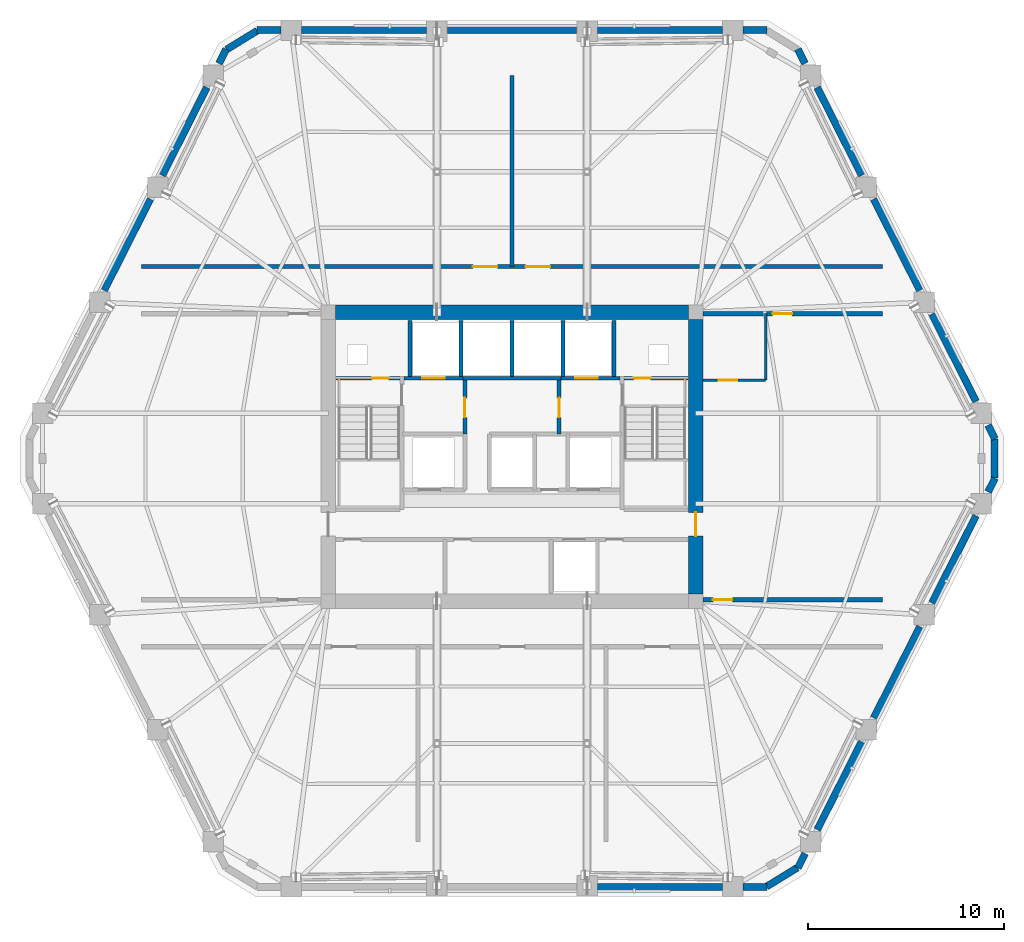
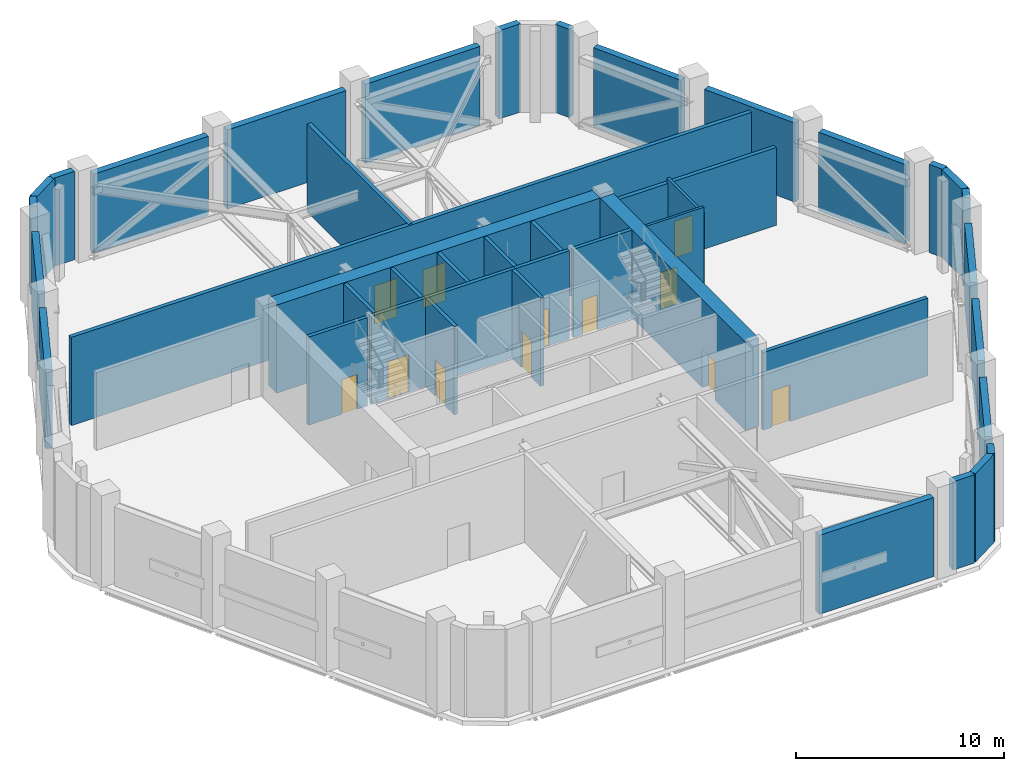
# One storey, part 11 of 15: 43 walls, 12 doors, 12 openings.
"""IFC4 building model written with IfcOpenShell, lengths in metres."""

from ifc_helpers import new_model, si_unit, direction, frame, frame_2d, origin, place, context, subcontext, project, spatial, rectangle, extrude, material, layer, layer_set, type_object, element, fill, save


model = new_model("IFC4")

# Units and contexts
model_context = context("Model", 3, precision=1e-05, world=origin(), true_north=direction((0.0, 1.0)))
body_context = subcontext(model_context, "Body", "Model", "MODEL_VIEW")
ifc_project = project(units=[si_unit("LENGTHUNIT", "METRE"), si_unit("AREAUNIT", "SQUARE_METRE"), si_unit("VOLUMEUNIT", "CUBIC_METRE"), si_unit("PLANEANGLEUNIT", "RADIAN"), si_unit("MASSUNIT", "GRAM", prefix="KILO")], contexts=[model_context])

# Site, building, storey
site_placement = place(None, origin())
site = spatial("IfcSite", under=ifc_project, at=site_placement, CompositionType="ELEMENT")
building_placement = place(site_placement, origin())
building = spatial("IfcBuilding", under=site, at=building_placement, Name="Cinnabar Lancet Tower", CompositionType="ELEMENT")
storey_placement = place(building_placement, frame((0.0, 0.0, 148.10009765625)))
storey = spatial("IfcBuildingStorey", under=building, at=storey_placement, Name="L39", CompositionType="ELEMENT", Elevation=148.10009765625)

# Wall, opening, door
ifc_material_1 = material(Name="Acoustic masonry plant room wall", Category="masonry")
ifc_layer_1 = layer(ifc_material_1, 0.219970703125)
ifc_layer_set_1 = layer_set([ifc_layer_1], Name="Acoustic masonry plant room wall")
wall_type_1 = type_object("IfcWallType", Name="ARC-WL-PLANT-220", PredefinedType="PARTITIONING", material=ifc_layer_set_1)
wall_1_placement = place(storey_placement, frame((42.14990234375, 18.60009765625, 0.0), z_axis=(0.0, 0.0, 1.0), x_axis=(1.0, 0.0, 0.0)))
wall_1 = element("IfcWall", 1, at=wall_1_placement, inside=storey, type_object=wall_type_1, Name="PW-L39-RFES", PredefinedType="PARTITIONING", context=body_context, shape_type="SweptSolid", body=[
    extrude(rectangle(XDim=9.1630859375, YDim=0.219970703125, at=frame_2d((4.58154296875, 0.0))), origin(), (0.0, 0.0, 1.0), 4.572021484375),
])
opening_1_placement = place(wall_1_placement, frame((0.5, 0.0, 0.0)))
opening_1 = element("IfcOpeningElement", 2, at=opening_1_placement, cuts=wall_1, Name="Opening FD-01", PredefinedType="OPENING", context=body_context, shape_type="SweptSolid", body=[
    extrude(rectangle(XDim=1.0, YDim=2.14990234375, at=frame_2d((0.5, 1.074951171875))), frame((0.0, 0.119873046875, 0.0), z_axis=(0.0, -1.0, 0.0), x_axis=(1.0, 0.0, 0.0)), (0.0, 0.0, 1.0), 0.239990234375),
])
ifc_material_2 = material(Name="Fire-rated timber-core lobby door", Category="wood")
door_type_1 = type_object("IfcDoorType", Name="ARC-DR-FFAL", OperationType="NOTDEFINED", PredefinedType="DOOR", material=ifc_material_2)
door_1_placement = place(opening_1_placement, origin())
door_1 = element("IfcDoor", 3, at=door_1_placement, inside=storey, type_object=door_type_1, Name="L39 Plant Corridor Fire Door RES", OperationType="SINGLE_SWING_LEFT", OverallHeight=2.14990234375, OverallWidth=1.0, PredefinedType="DOOR", context=body_context, shape_type="SweptSolid", body=[
    extrude(rectangle(XDim=1.0, YDim=2.14990234375, at=frame_2d((0.5, 1.074951171875))), frame((0.0, 0.02490234375, 0.0), z_axis=(0.0, -1.0, 0.0), x_axis=(1.0, 0.0, 0.0)), (0.0, 0.0, 1.0), 0.050048828125),
])
fill(opening_1, door_1)

wall_2_placement = place(storey_placement, frame((42.14990234375, 33.199951171875, 0.0), z_axis=(0.0, 0.0, 1.0), x_axis=(1.0, 0.0, 0.0)))
wall_2 = element("IfcWall", 4, at=wall_2_placement, inside=storey, type_object=wall_type_1, Name="PW-L39-RFEN", PredefinedType="PARTITIONING", context=body_context, shape_type="SweptSolid", body=[
    extrude(rectangle(XDim=9.1630859375, YDim=0.219970703125, at=frame_2d((4.58154296875, 0.0))), origin(), (0.0, 0.0, 1.0), 4.572021484375),
])
opening_2_placement = place(wall_2_placement, frame((3.550048828125, 0.0, 0.0)))
opening_2 = element("IfcOpeningElement", 5, at=opening_2_placement, cuts=wall_2, Name="Opening FD-01", PredefinedType="OPENING", context=body_context, shape_type="SweptSolid", body=[
    extrude(rectangle(XDim=1.0, YDim=2.14990234375, at=frame_2d((0.5, 1.074951171875))), frame((0.0, 0.119873046875, 0.0), z_axis=(0.0, -1.0, 0.0), x_axis=(1.0, 0.0, 0.0)), (0.0, 0.0, 1.0), 0.239990234375),
])
door_2_placement = place(opening_2_placement, origin())
door_2 = element("IfcDoor", 6, at=door_2_placement, inside=storey, type_object=door_type_1, Name="L39 Plant Corridor Fire Door REN", OperationType="SINGLE_SWING_LEFT", OverallHeight=2.14990234375, OverallWidth=1.0, PredefinedType="DOOR", context=body_context, shape_type="SweptSolid", body=[
    extrude(rectangle(XDim=1.0, YDim=2.14990234375, at=frame_2d((0.5, 1.074951171875))), frame((0.0, 0.02490234375, 0.0), z_axis=(0.0, -1.0, 0.0), x_axis=(1.0, 0.0, 0.0)), (0.0, 0.0, 1.0), 0.050048828125),
])
fill(opening_2, door_2)

# Wall, openings, doors
wall_3_placement = place(storey_placement, frame((13.487060546875, 35.60009765625, 0.0), z_axis=(0.0, 0.0, 1.0), x_axis=(1.0, 0.0, 0.0)))
wall_3 = element("IfcWall", 7, at=wall_3_placement, inside=storey, type_object=wall_type_1, Name="PW-L39-NPLN", PredefinedType="PARTITIONING", context=body_context, shape_type="SweptSolid", body=[
    extrude(rectangle(XDim=37.825927734375, YDim=0.219970703125, at=frame_2d((18.9130859375, 0.0))), origin(), (0.0, 0.0, 1.0), 5.18994140625),
])
opening_3_placement = place(wall_3_placement, frame((16.9130859375, 0.0, 0.0)))
opening_3 = element("IfcOpeningElement", 8, at=opening_3_placement, cuts=wall_3, Name="Opening PD-01", PredefinedType="OPENING", context=body_context, shape_type="SweptSolid", body=[
    extrude(rectangle(XDim=1.25, YDim=2.25, at=frame_2d((0.625, 1.125))), frame((0.0, 0.119873046875, 0.0), z_axis=(0.0, -1.0, 0.0), x_axis=(1.0, 0.0, 0.0)), (0.0, 0.0, 1.0), 0.239990234375),
])
opening_4_placement = place(wall_3_placement, frame((19.613037109375, 0.0, 0.0)))
opening_4 = element("IfcOpeningElement", 9, at=opening_4_placement, cuts=wall_3, Name="Opening PD-01", PredefinedType="OPENING", context=body_context, shape_type="SweptSolid", body=[
    extrude(rectangle(XDim=1.25, YDim=2.25, at=frame_2d((0.625, 1.125))), frame((0.0, 0.119873046875, 0.0), z_axis=(0.0, -1.0, 0.0), x_axis=(1.0, 0.0, 0.0)), (0.0, 0.0, 1.0), 0.239990234375),
])
ifc_material_3 = material(Name="Louvred fire-rated steel plant room double door", Category="steel")
door_type_2 = type_object("IfcDoorType", Name="ARC-DR-PLANT", OperationType="NOTDEFINED", PredefinedType="DOOR", material=ifc_material_3)
door_3_placement = place(opening_3_placement, origin())
door_3 = element("IfcDoor", 10, at=door_3_placement, inside=storey, type_object=door_type_2, Name="DR-L39-NPL1", OperationType="SINGLE_SWING_RIGHT", OverallHeight=2.25, OverallWidth=1.25, PredefinedType="DOOR", context=body_context, shape_type="SweptSolid", body=[
    extrude(rectangle(XDim=1.25, YDim=2.25, at=frame_2d((0.625, 1.125))), frame((0.0, 0.02490234375, 0.0), z_axis=(0.0, -1.0, 0.0), x_axis=(1.0, 0.0, 0.0)), (0.0, 0.0, 1.0), 0.050048828125),
])
fill(opening_3, door_3)
door_4_placement = place(opening_4_placement, origin())
door_4 = element("IfcDoor", 11, at=door_4_placement, inside=storey, type_object=door_type_2, Name="DR-L39-NPL2", OperationType="SINGLE_SWING_RIGHT", OverallHeight=2.25, OverallWidth=1.25, PredefinedType="DOOR", context=body_context, shape_type="SweptSolid", body=[
    extrude(rectangle(XDim=1.25, YDim=2.25, at=frame_2d((0.625, 1.125))), frame((0.0, 0.02490234375, 0.0), z_axis=(0.0, -1.0, 0.0), x_axis=(1.0, 0.0, 0.0)), (0.0, 0.0, 1.0), 0.050048828125),
])
fill(opening_4, door_4)

# Wall
wall_4_placement = place(storey_placement, frame((32.39990234375, 35.60009765625, 0.0), z_axis=(0.0, 0.0, 1.0), x_axis=(0.0, 1.0, 0.0)))
element("IfcWall", 12, at=wall_4_placement, inside=storey, type_object=wall_type_1, Name="PW-L39-NDIV", PredefinedType="PARTITIONING", context=body_context, shape_type="SweptSolid", body=[
    extrude(rectangle(XDim=9.75, YDim=0.219970703125, at=frame_2d((4.875, 0.0))), origin(), (0.0, 0.0, 1.0), 5.18994140625),
])

# Wall, opening, door
ifc_material_4 = material(Name="Autoclaved aerated concrete blockwork", Category="masonry")
ifc_layer_2 = layer(ifc_material_4, 0.199951171875)
ifc_layer_set_2 = layer_set([ifc_layer_2], Name="Autoclaved aerated concrete blockwork")
wall_type_2 = type_object("IfcWallType", Name="ARC-WL-SHAFT-200", PredefinedType="PLUMBINGWALL", material=ifc_layer_set_2)
wall_5_placement = place(storey_placement, frame((23.405029296875, 29.89990234375, 0.0), z_axis=(0.0, 0.0, 1.0), x_axis=(1.0, 0.0, 0.0)))
wall_5 = element("IfcWall", 13, at=wall_5_placement, inside=storey, type_object=wall_type_2, Name="CW-NSH-W-L39", PredefinedType="PLUMBINGWALL", context=body_context, shape_type="SweptSolid", body=[
    extrude(rectangle(XDim=3.27001953125, YDim=0.199951171875, at=frame_2d((1.635009765625, 0.0))), origin(), (0.0, 0.0, 1.0), 5.18994140625),
])
opening_5_placement = place(wall_5_placement, frame((1.85009765625, 0.0, 0.0)))
opening_5 = element("IfcOpeningElement", 14, at=opening_5_placement, cuts=wall_5, Name="Opening PD-02", PredefinedType="OPENING", context=body_context, shape_type="SweptSolid", body=[
    extrude(rectangle(XDim=0.85009765625, YDim=2.050048828125, at=frame_2d((0.425048828125, 1.02490234375))), frame((0.0, 0.10986328125, 0.0), z_axis=(0.0, -1.0, 0.0), x_axis=(1.0, 0.0, 0.0)), (0.0, 0.0, 1.0), 0.219970703125),
])
ifc_material_5 = material(Name="Fire-rated steel riser access door", Category="steel")
door_type_3 = type_object("IfcDoorType", Name="ARC-DR-RISER", OperationType="NOTDEFINED", PredefinedType="DOOR", material=ifc_material_5)
door_5_placement = place(opening_5_placement, origin())
door_5 = element("IfcDoor", 15, at=door_5_placement, inside=storey, type_object=door_type_3, Name="L39 West Riser Access Door", OperationType="SINGLE_SWING_LEFT", OverallHeight=2.050048828125, OverallWidth=0.85009765625, PredefinedType="DOOR", context=body_context, shape_type="SweptSolid", body=[
    extrude(rectangle(XDim=0.85009765625, YDim=2.050048828125, at=frame_2d((0.425048828125, 1.02490234375))), frame((0.0, 0.02490234375, 0.0), z_axis=(0.0, -1.0, 0.0), x_axis=(1.0, 0.0, 0.0)), (0.0, 0.0, 1.0), 0.050048828125),
])
fill(opening_5, door_5)

wall_6_placement = place(storey_placement, frame((26.885009765625, 29.89990234375, 0.0), z_axis=(0.0, 0.0, 1.0), x_axis=(1.0, 0.0, 0.0)))
wall_6 = element("IfcWall", 16, at=wall_6_placement, inside=storey, type_object=wall_type_2, Name="CW-FL1-L39", PredefinedType="PLUMBINGWALL", context=body_context, shape_type="SweptSolid", body=[
    extrude(rectangle(XDim=3.014892578125, YDim=0.199951171875, at=frame_2d((1.50732421875, 0.0))), origin(), (0.0, 0.0, 1.0), 5.18994140625),
])
opening_6_placement = place(wall_6_placement, frame((0.93994140625, 0.0, 0.0)))
opening_6 = element("IfcOpeningElement", 17, at=opening_6_placement, cuts=wall_6, Name="Opening LD-02", PredefinedType="OPENING", context=body_context, shape_type="SweptSolid", body=[
    extrude(rectangle(XDim=1.14990234375, YDim=2.199951171875, at=frame_2d((0.574951171875, 1.10009765625))), frame((0.0, 0.10986328125, 0.0), z_axis=(0.0, -1.0, 0.0), x_axis=(1.0, 0.0, 0.0)), (0.0, 0.0, 1.0), 0.219970703125),
])
ifc_material_6 = material(Name="Fire-rated stainless steel firefighting lift landing door", Category="steel")
door_type_4 = type_object("IfcDoorType", Name="ARC-DR-LD-FIRE", OperationType="NOTDEFINED", PredefinedType="DOOR", material=ifc_material_6)
door_6_placement = place(opening_6_placement, origin())
door_6 = element("IfcDoor", 18, at=door_6_placement, inside=storey, type_object=door_type_4, Name="L39 Firefighting Lift FL-1 Landing Door", OperationType="DOUBLE_DOOR_SLIDING", OverallHeight=2.199951171875, OverallWidth=1.14990234375, PredefinedType="DOOR", context=body_context, shape_type="SweptSolid", body=[
    extrude(rectangle(XDim=1.14990234375, YDim=2.199951171875, at=frame_2d((0.574951171875, 1.10009765625))), frame((0.0, 0.02490234375, 0.0), z_axis=(0.0, -1.0, 0.0), x_axis=(1.0, 0.0, 0.0)), (0.0, 0.0, 1.0), 0.050048828125),
])
fill(opening_6, door_6)

# Wall
wall_7_placement = place(storey_placement, frame((29.89990234375, 29.89990234375, 0.0), z_axis=(0.0, 0.0, 1.0), x_axis=(1.0, 0.0, 0.0)))
element("IfcWall", 19, at=wall_7_placement, inside=storey, type_object=wall_type_2, Name="CW-PL78-L39", PredefinedType="PLUMBINGWALL", context=body_context, shape_type="SweptSolid", body=[
    extrude(rectangle(XDim=5.0, YDim=0.199951171875, at=frame_2d((2.5, 0.0))), origin(), (0.0, 0.0, 1.0), 5.18994140625),
])

# Wall, opening, door
wall_8_placement = place(storey_placement, frame((34.89990234375, 29.89990234375, 0.0), z_axis=(0.0, 0.0, 1.0), x_axis=(1.0, 0.0, 0.0)))
wall_8 = element("IfcWall", 20, at=wall_8_placement, inside=storey, type_object=wall_type_2, Name="CW-FL2-L39", PredefinedType="PLUMBINGWALL", context=body_context, shape_type="SweptSolid", body=[
    extrude(rectangle(XDim=3.01513671875, YDim=0.199951171875, at=frame_2d((1.507568359375, 0.0))), origin(), (0.0, 0.0, 1.0), 5.18994140625),
])
opening_7_placement = place(wall_8_placement, frame((0.72509765625, 0.0, 0.0)))
opening_7 = element("IfcOpeningElement", 21, at=opening_7_placement, cuts=wall_8, Name="Opening LD-02", PredefinedType="OPENING", context=body_context, shape_type="SweptSolid", body=[
    extrude(rectangle(XDim=1.14990234375, YDim=2.199951171875, at=frame_2d((0.574951171875, 1.10009765625))), frame((0.0, 0.10986328125, 0.0), z_axis=(0.0, -1.0, 0.0), x_axis=(1.0, 0.0, 0.0)), (0.0, 0.0, 1.0), 0.219970703125),
])
door_7_placement = place(opening_7_placement, origin())
door_7 = element("IfcDoor", 22, at=door_7_placement, inside=storey, type_object=door_type_4, Name="L39 Firefighting Lift FL-2 Landing Door", OperationType="DOUBLE_DOOR_SLIDING", OverallHeight=2.199951171875, OverallWidth=1.14990234375, PredefinedType="DOOR", context=body_context, shape_type="SweptSolid", body=[
    extrude(rectangle(XDim=1.14990234375, YDim=2.199951171875, at=frame_2d((0.574951171875, 1.10009765625))), frame((0.0, 0.02490234375, 0.0), z_axis=(0.0, -1.0, 0.0), x_axis=(1.0, 0.0, 0.0)), (0.0, 0.0, 1.0), 0.050048828125),
])
fill(opening_7, door_7)

wall_9_placement = place(storey_placement, frame((38.125, 29.89990234375, 0.0), z_axis=(0.0, 0.0, 1.0), x_axis=(1.0, 0.0, 0.0)))
wall_9 = element("IfcWall", 23, at=wall_9_placement, inside=storey, type_object=wall_type_2, Name="CW-NSH-E-L39", PredefinedType="PLUMBINGWALL", context=body_context, shape_type="SweptSolid", body=[
    extrude(rectangle(XDim=3.27001953125, YDim=0.199951171875, at=frame_2d((1.635009765625, 0.0))), origin(), (0.0, 0.0, 1.0), 5.18994140625),
])
opening_8_placement = place(wall_9_placement, frame((0.5, 0.0, 0.0)))
opening_8 = element("IfcOpeningElement", 24, at=opening_8_placement, cuts=wall_9, Name="Opening PD-02", PredefinedType="OPENING", context=body_context, shape_type="SweptSolid", body=[
    extrude(rectangle(XDim=0.85009765625, YDim=2.050048828125, at=frame_2d((0.425048828125, 1.02490234375))), frame((0.0, 0.10986328125, 0.0), z_axis=(0.0, -1.0, 0.0), x_axis=(1.0, 0.0, 0.0)), (0.0, 0.0, 1.0), 0.219970703125),
])
door_8_placement = place(opening_8_placement, origin())
door_8 = element("IfcDoor", 25, at=door_8_placement, inside=storey, type_object=door_type_3, Name="L39 East Riser Access Door", OperationType="SINGLE_SWING_RIGHT", OverallHeight=2.050048828125, OverallWidth=0.85009765625, PredefinedType="DOOR", context=body_context, shape_type="SweptSolid", body=[
    extrude(rectangle(XDim=0.85009765625, YDim=2.050048828125, at=frame_2d((0.425048828125, 1.02490234375))), frame((0.0, 0.02490234375, 0.0), z_axis=(0.0, -1.0, 0.0), x_axis=(1.0, 0.0, 0.0)), (0.0, 0.0, 1.0), 0.050048828125),
])
fill(opening_8, door_8)

# Walls
for number, where, z_axis, x_axis, name in (
    (26, (27.199951171875, 30.0, 0.0), (0.0, 0.0, 1.0), (0.0, 1.0, 0.0), "CW-NSH-D1-L39"),
    (27, (29.800048828125, 30.0, 0.0), (0.0, 0.0, 1.0), (0.0, 1.0, 0.0), "CW-NSH-D2-L39"),
    (28, (32.39990234375, 30.0, 0.0), (0.0, 0.0, 1.0), (0.0, 1.0, 0.0), "CW-NSH-D3-L39"),
    (29, (35.0, 30.0, 0.0), (0.0, 0.0, 1.0), (0.0, 1.0, 0.0), "CW-NSH-D4-L39"),
    (30, (37.60009765625, 30.0, 0.0), (0.0, 0.0, 1.0), (0.0, 1.0, 0.0), "CW-NSH-D5-L39"),
):
    element("IfcWall", number, at=place(storey_placement, frame(where, z_axis=z_axis, x_axis=x_axis)), inside=storey, type_object=wall_type_2, Name=name, PredefinedType="PLUMBINGWALL", context=body_context, shape_type="SweptSolid", body=[
        extrude(rectangle(XDim=2.85009765625, YDim=0.199951171875, at=frame_2d((1.425048828125, 0.0))), origin(), (0.0, 0.0, 1.0), 5.18994140625),
    ])

# Wall, opening, door
wall_10_placement = place(storey_placement, frame((30.0, 27.050048828125, 0.0), z_axis=(0.0, 0.0, 1.0), x_axis=(0.0, 1.0, 0.0)))
wall_10 = element("IfcWall", 31, at=wall_10_placement, inside=storey, type_object=wall_type_2, Name="CW-FF1E-L39", PredefinedType="PLUMBINGWALL", context=body_context, shape_type="SweptSolid", body=[
    extrude(rectangle(XDim=2.75, YDim=0.199951171875, at=frame_2d((1.375, 0.0))), origin(), (0.0, 0.0, 1.0), 5.18994140625),
])
opening_9_placement = place(wall_10_placement, frame((0.85009765625, 0.0, 0.0)))
opening_9 = element("IfcOpeningElement", 32, at=opening_9_placement, cuts=wall_10, Name="Opening FD-01", PredefinedType="OPENING", context=body_context, shape_type="SweptSolid", body=[
    extrude(rectangle(XDim=1.0, YDim=2.14990234375, at=frame_2d((0.5, 1.074951171875))), frame((0.0, 0.10986328125, 0.0), z_axis=(0.0, -1.0, 0.0), x_axis=(1.0, 0.0, 0.0)), (0.0, 0.0, 1.0), 0.219970703125),
])
door_9_placement = place(opening_9_placement, origin())
door_9 = element("IfcDoor", 33, at=door_9_placement, inside=storey, type_object=door_type_1, Name="L39 FFAL-1 Lobby Fire Door", OperationType="SINGLE_SWING_RIGHT", OverallHeight=2.14990234375, OverallWidth=1.0, PredefinedType="DOOR", context=body_context, shape_type="SweptSolid", body=[
    extrude(rectangle(XDim=1.0, YDim=2.14990234375, at=frame_2d((0.5, 1.074951171875))), frame((0.0, 0.02490234375, 0.0), z_axis=(0.0, -1.0, 0.0), x_axis=(1.0, 0.0, 0.0)), (0.0, 0.0, 1.0), 0.050048828125),
])
fill(opening_9, door_9)

wall_11_placement = place(storey_placement, frame((34.800048828125, 27.050048828125, 0.0), z_axis=(0.0, 0.0, 1.0), x_axis=(0.0, 1.0, 0.0)))
wall_11 = element("IfcWall", 34, at=wall_11_placement, inside=storey, type_object=wall_type_2, Name="CW-FF2W-L39", PredefinedType="PLUMBINGWALL", context=body_context, shape_type="SweptSolid", body=[
    extrude(rectangle(XDim=2.75, YDim=0.199951171875, at=frame_2d((1.375, 0.0))), origin(), (0.0, 0.0, 1.0), 5.18994140625),
])
opening_10_placement = place(wall_11_placement, frame((0.85009765625, 0.0, 0.0)))
opening_10 = element("IfcOpeningElement", 35, at=opening_10_placement, cuts=wall_11, Name="Opening FD-01", PredefinedType="OPENING", context=body_context, shape_type="SweptSolid", body=[
    extrude(rectangle(XDim=1.0, YDim=2.14990234375, at=frame_2d((0.5, 1.074951171875))), frame((0.0, 0.10986328125, 0.0), z_axis=(0.0, -1.0, 0.0), x_axis=(1.0, 0.0, 0.0)), (0.0, 0.0, 1.0), 0.219970703125),
])
door_10_placement = place(opening_10_placement, origin())
door_10 = element("IfcDoor", 36, at=door_10_placement, inside=storey, type_object=door_type_1, Name="L39 FFAL-2 Lobby Fire Door", OperationType="SINGLE_SWING_LEFT", OverallHeight=2.14990234375, OverallWidth=1.0, PredefinedType="DOOR", context=body_context, shape_type="SweptSolid", body=[
    extrude(rectangle(XDim=1.0, YDim=2.14990234375, at=frame_2d((0.5, 1.074951171875))), frame((0.0, 0.02490234375, 0.0), z_axis=(0.0, -1.0, 0.0), x_axis=(1.0, 0.0, 0.0)), (0.0, 0.0, 1.0), 0.050048828125),
])
fill(opening_10, door_10)

ifc_material_7 = material(Name="Moisture-resistant cement-board plumbing wall", Category="masonry")
ifc_layer_3 = layer(ifc_material_7, 0.139892578125)
ifc_layer_set_3 = layer_set([ifc_layer_3], Name="Moisture-resistant cement-board plumbing wall")
wall_type_3 = type_object("IfcWallType", Name="ARC-WL-WET-140", PredefinedType="PLUMBINGWALL", material=ifc_layer_set_3)
wall_12_placement = place(storey_placement, frame((42.14990234375, 29.800048828125, 0.0), z_axis=(0.0, 0.0, 1.0), x_axis=(1.0, 0.0, 0.0)))
wall_12 = element("IfcWall", 37, at=wall_12_placement, inside=storey, type_object=wall_type_3, Name="PW-L39-RFWCS", PredefinedType="PLUMBINGWALL", context=body_context, shape_type="SweptSolid", body=[
    extrude(rectangle(XDim=3.2001953125, YDim=0.139892578125, at=frame_2d((1.60009765625, 0.0))), origin(), (0.0, 0.0, 1.0), 5.18994140625),
])
opening_11_placement = place(wall_12_placement, frame((0.800048828125, 0.0, 0.0)))
opening_11 = element("IfcOpeningElement", 38, at=opening_11_placement, cuts=wall_12, Name="Opening BD-02", PredefinedType="OPENING", context=body_context, shape_type="SweptSolid", body=[
    extrude(rectangle(XDim=0.9599609375, YDim=2.14990234375, at=frame_2d((0.47998046875, 1.074951171875))), frame((0.0, 0.079833984375, 0.0), z_axis=(0.0, -1.0, 0.0), x_axis=(1.0, 0.0, 0.0)), (0.0, 0.0, 1.0), 0.159912109375),
])
ifc_material_8 = material(Name="Accessible wide-leaf washroom door", Category="wood")
door_type_5 = type_object("IfcDoorType", Name="ARC-DR-ACCWC", OperationType="NOTDEFINED", PredefinedType="DOOR", material=ifc_material_8)
door_11_placement = place(opening_11_placement, origin())
door_11 = element("IfcDoor", 39, at=door_11_placement, inside=storey, type_object=door_type_5, Name="DR-L39-RFWC", OperationType="SINGLE_SWING_LEFT", OverallHeight=2.14990234375, OverallWidth=0.9599609375, PredefinedType="DOOR", context=body_context, shape_type="SweptSolid", body=[
    extrude(rectangle(XDim=0.9599609375, YDim=2.14990234375, at=frame_2d((0.47998046875, 1.074951171875))), frame((0.0, 0.02490234375, 0.0), z_axis=(0.0, -1.0, 0.0), x_axis=(1.0, 0.0, 0.0)), (0.0, 0.0, 1.0), 0.050048828125),
])
fill(opening_11, door_11)

# Walls
wall_13_placement = place(storey_placement, frame((45.35009765625, 29.800048828125, 0.0), z_axis=(0.0, 0.0, 1.0), x_axis=(0.0, 1.0, 0.0)))
element("IfcWall", 40, at=wall_13_placement, inside=storey, type_object=wall_type_3, Name="PW-L39-RFWCE", PredefinedType="PLUMBINGWALL", context=body_context, shape_type="SweptSolid", body=[
    extrude(rectangle(XDim=3.39990234375, YDim=0.139892578125, at=frame_2d((1.699951171875, 0.0))), origin(), (0.0, 0.0, 1.0), 4.824951171875),
])
ifc_material_9 = material(Name="Dark charcoal engineering brick", Category="masonry")
ifc_layer_4 = layer(ifc_material_9, 0.360107421875)
ifc_layer_set_4 = layer_set([ifc_layer_4], Name="Dark charcoal engineering brick")
wall_type_4 = type_object("IfcWallType", Name="ENV-WL-BRK-CHR-360", PredefinedType="STANDARD", material=ifc_layer_set_4)
wall_14_placement = place(storey_placement, frame((45.39892578125, 3.95703125, 0.0), z_axis=(0.0, 0.0, 1.0), x_axis=(0.852222019209, 0.523180303505, 0.0)))
element("IfcWall", 41, at=wall_14_placement, inside=storey, type_object=wall_type_4, Name="L39 Chamfered Corner Brick Pier 2.1", PredefinedType="STANDARD", context=body_context, shape_type="SweptSolid", body=[
    extrude(rectangle(XDim=1.84228515625, YDim=0.360107421875, at=frame_2d((0.921142578125, 0.0))), origin(), (0.0, 0.0, 1.0), 5.18994140625),
])
wall_15_placement = place(storey_placement, frame((57.032958984375, 24.805908203125, 0.0), z_axis=(0.0, 0.0, 1.0), x_axis=(0.0, 1.0, 0.0)))
element("IfcWall", 42, at=wall_15_placement, inside=storey, type_object=wall_type_4, Name="L39 Chamfered Corner Brick Pier 3.1", PredefinedType="STANDARD", context=body_context, shape_type="SweptSolid", body=[
    extrude(rectangle(XDim=1.988037109375, YDim=0.360107421875, at=frame_2d((0.994140625, 0.0))), origin(), (0.0, 0.0, 1.0), 5.18994140625),
])
wall_16_placement = place(storey_placement, frame((19.40087890625, 47.64306640625, 0.0), z_axis=(0.0, 0.0, 1.0), x_axis=(-0.852126643281, -0.523335632086, 0.0)))
element("IfcWall", 43, at=wall_16_placement, inside=storey, type_object=wall_type_4, Name="L39 Chamfered Corner Brick Pier 5.1", PredefinedType="STANDARD", context=body_context, shape_type="SweptSolid", body=[
    extrude(rectangle(XDim=1.84228515625, YDim=0.360107421875, at=frame_2d((0.921142578125, 0.0))), origin(), (0.0, 0.0, 1.0), 5.18994140625),
])
wall_17_placement = place(storey_placement, frame((36.760986328125, 3.929931640625, 0.0), z_axis=(0.0, 0.0, 1.0), x_axis=(1.0, 0.0, 0.0)))
element("IfcWall", 44, at=wall_17_placement, inside=storey, type_object=wall_type_4, Name="L39 Face 1 Masonry Bay Wall 4", PredefinedType="STANDARD", context=body_context, shape_type="SweptSolid", body=[
    extrude(rectangle(XDim=6.37890625, YDim=0.360107421875, at=frame_2d((3.189453125, 0.0))), origin(), (0.0, 0.0, 1.0), 4.64697265625),
])
wall_18_placement = place(storey_placement, frame((44.197998046875, 3.929931640625, 0.0), z_axis=(0.0, 0.0, 1.0), x_axis=(1.0, 0.0, 0.0)))
element("IfcWall", 45, at=wall_18_placement, inside=storey, type_object=wall_type_4, Name="L39 Face 1 Masonry Bay Wall 5", PredefinedType="STANDARD", context=body_context, shape_type="SweptSolid", body=[
    extrude(rectangle(XDim=1.20703125, YDim=0.360107421875, at=frame_2d((0.603515625, 0.0))), origin(), (0.0, 0.0, 1.0), 5.18994140625),
])
wall_19_placement = place(storey_placement, frame((46.989990234375, 4.904052734375, 0.0), z_axis=(0.0, 0.0, 1.0), x_axis=(0.451257232792, 0.892393920785, 0.0)))
element("IfcWall", 46, at=wall_19_placement, inside=storey, type_object=wall_type_4, Name="L39 Face 2 Masonry Bay Wall 1", PredefinedType="STANDARD", context=body_context, shape_type="SweptSolid", body=[
    extrude(rectangle(XDim=0.8203125, YDim=0.360107421875, at=frame_2d((0.41015625, 0.0))), origin(), (0.0, 0.0, 1.0), 5.18994140625),
])
wall_20_placement = place(storey_placement, frame((47.97802734375, 6.85595703125, 0.0), z_axis=(0.0, 0.0, 1.0), x_axis=(0.451420992602, 0.892311093419, 0.0)))
element("IfcWall", 47, at=wall_20_placement, inside=storey, type_object=wall_type_4, Name="L39 Face 2 Masonry Bay Wall 2", PredefinedType="STANDARD", context=body_context, shape_type="SweptSolid", body=[
    extrude(rectangle(XDim=5.03076171875, YDim=0.360107421875, at=frame_2d((2.515380859375, 0.0))), origin(), (0.0, 0.0, 1.0), 4.64697265625),
])
wall_21_placement = place(storey_placement, frame((50.864013671875, 12.56103515625, 0.0), z_axis=(0.0, 0.0, 1.0), x_axis=(0.451422282023, 0.892310441098, 0.0)))
element("IfcWall", 48, at=wall_21_placement, inside=storey, type_object=wall_type_4, Name="L39 Face 2 Masonry Bay Wall 3", PredefinedType="STANDARD", context=body_context, shape_type="SweptSolid", body=[
    extrude(rectangle(XDim=5.214599609375, YDim=0.360107421875, at=frame_2d((2.607421875, 0.0))), origin(), (0.0, 0.0, 1.0), 4.64697265625),
])
wall_22_placement = place(storey_placement, frame((53.83203125, 18.427978515625, 0.0), z_axis=(0.0, 0.0, 1.0), x_axis=(0.45143530451, 0.892303852867, 0.0)))
element("IfcWall", 49, at=wall_22_placement, inside=storey, type_object=wall_type_4, Name="L39 Face 2 Masonry Bay Wall 4", PredefinedType="STANDARD", context=body_context, shape_type="SweptSolid", body=[
    extrude(rectangle(XDim=4.990478515625, YDim=0.360107421875, at=frame_2d((2.4951171875, 0.0))), origin(), (0.0, 0.0, 1.0), 4.64697265625),
])
for number, where, z_axis, x_axis, name in (
    (50, (56.701904296875, 24.10107421875, 0.0), (0.0, 0.0, 1.0), (0.451328865492, 0.892357694635, 0.0), "L39 Face 2 Masonry Bay Wall 5"),
    (51, (57.054931640625, 26.801025390625, 0.0), (0.0, 0.0, 1.0), (-0.451328865492, 0.892357694635, 0.0), "L39 Face 3 Masonry Bay Wall 1"),
):
    element("IfcWall", number, at=place(storey_placement, frame(where, z_axis=z_axis, x_axis=x_axis)), inside=storey, type_object=wall_type_4, Name=name, PredefinedType="STANDARD", context=body_context, shape_type="SweptSolid", body=[
        extrude(rectangle(XDim=0.7822265625, YDim=0.360107421875, at=frame_2d((0.39111328125, 0.0))), origin(), (0.0, 0.0, 1.0), 5.18994140625),
    ])
wall_23_placement = place(storey_placement, frame((56.0849609375, 28.718994140625, 0.0), z_axis=(0.0, 0.0, 1.0), x_axis=(-0.45143530451, 0.892303852867, 0.0)))
element("IfcWall", 52, at=wall_23_placement, inside=storey, type_object=wall_type_4, Name="L39 Face 3 Masonry Bay Wall 2", PredefinedType="STANDARD", context=body_context, shape_type="SweptSolid", body=[
    extrude(rectangle(XDim=4.990478515625, YDim=0.360107421875, at=frame_2d((2.4951171875, 0.0))), origin(), (0.0, 0.0, 1.0), 4.64697265625),
])
wall_24_placement = place(storey_placement, frame((53.218017578125, 34.385986328125, 0.0), z_axis=(0.0, 0.0, 1.0), x_axis=(-0.451422282023, 0.892310441098, 0.0)))
element("IfcWall", 53, at=wall_24_placement, inside=storey, type_object=wall_type_4, Name="L39 Face 3 Masonry Bay Wall 3", PredefinedType="STANDARD", context=body_context, shape_type="SweptSolid", body=[
    extrude(rectangle(XDim=5.214599609375, YDim=0.360107421875, at=frame_2d((2.607421875, 0.0))), origin(), (0.0, 0.0, 1.0), 4.64697265625),
])
wall_25_placement = place(storey_placement, frame((50.2490234375, 40.2548828125, 0.0), z_axis=(0.0, 0.0, 1.0), x_axis=(-0.451420992602, 0.892311093419, 0.0)))
element("IfcWall", 54, at=wall_25_placement, inside=storey, type_object=wall_type_4, Name="L39 Face 3 Masonry Bay Wall 4", PredefinedType="STANDARD", context=body_context, shape_type="SweptSolid", body=[
    extrude(rectangle(XDim=5.03076171875, YDim=0.360107421875, at=frame_2d((2.515380859375, 0.0))), origin(), (0.0, 0.0, 1.0), 4.64697265625),
])
wall_26_placement = place(storey_placement, frame((47.360107421875, 45.964111328125, 0.0), z_axis=(0.0, 0.0, 1.0), x_axis=(-0.451257232792, 0.892393920785, 0.0)))
element("IfcWall", 55, at=wall_26_placement, inside=storey, type_object=wall_type_4, Name="L39 Face 3 Masonry Bay Wall 5", PredefinedType="STANDARD", context=body_context, shape_type="SweptSolid", body=[
    extrude(rectangle(XDim=0.8203125, YDim=0.360107421875, at=frame_2d((0.41015625, 0.0))), origin(), (0.0, 0.0, 1.0), 5.18994140625),
])
wall_27_placement = place(storey_placement, frame((45.405029296875, 47.669921875, 0.0), z_axis=(0.0, 0.0, 1.0), x_axis=(-1.0, 0.0, 0.0)))
element("IfcWall", 56, at=wall_27_placement, inside=storey, type_object=wall_type_4, Name="L39 Face 4 Masonry Bay Wall 1", PredefinedType="STANDARD", context=body_context, shape_type="SweptSolid", body=[
    extrude(rectangle(XDim=1.20703125, YDim=0.360107421875, at=frame_2d((0.603515625, 0.0))), origin(), (0.0, 0.0, 1.0), 5.18994140625),
])
wall_28_placement = place(storey_placement, frame((43.139892578125, 47.669921875, 0.0), z_axis=(0.0, 0.0, 1.0), x_axis=(-1.0, 0.0, 0.0)))
element("IfcWall", 57, at=wall_28_placement, inside=storey, type_object=wall_type_4, Name="L39 Face 4 Masonry Bay Wall 2", PredefinedType="STANDARD", context=body_context, shape_type="SweptSolid", body=[
    extrude(rectangle(XDim=6.37890625, YDim=0.360107421875, at=frame_2d((3.189453125, 0.0))), origin(), (0.0, 0.0, 1.0), 4.64697265625),
])
wall_29_placement = place(storey_placement, frame((35.702880859375, 47.669921875, 0.0), z_axis=(0.0, 0.0, 1.0), x_axis=(-1.0, 0.0, 0.0)))
element("IfcWall", 58, at=wall_29_placement, inside=storey, type_object=wall_type_4, Name="L39 Face 4 Masonry Bay Wall 3", PredefinedType="STANDARD", context=body_context, shape_type="SweptSolid", body=[
    extrude(rectangle(XDim=6.60595703125, YDim=0.360107421875, at=frame_2d((3.302978515625, 0.0))), origin(), (0.0, 0.0, 1.0), 4.64697265625),
])
wall_30_placement = place(storey_placement, frame((28.0390625, 47.669921875, 0.0), z_axis=(0.0, 0.0, 1.0), x_axis=(-1.0, 0.0, 0.0)))
element("IfcWall", 59, at=wall_30_placement, inside=storey, type_object=wall_type_4, Name="L39 Face 4 Masonry Bay Wall 4", PredefinedType="STANDARD", context=body_context, shape_type="SweptSolid", body=[
    extrude(rectangle(XDim=6.379150390625, YDim=0.360107421875, at=frame_2d((3.189453125, 0.0))), origin(), (0.0, 0.0, 1.0), 4.64697265625),
])
wall_31_placement = place(storey_placement, frame((20.60205078125, 47.669921875, 0.0), z_axis=(0.0, 0.0, 1.0), x_axis=(-1.0, 0.0, 0.0)))
element("IfcWall", 60, at=wall_31_placement, inside=storey, type_object=wall_type_4, Name="L39 Face 4 Masonry Bay Wall 5", PredefinedType="STANDARD", context=body_context, shape_type="SweptSolid", body=[
    extrude(rectangle(XDim=1.20703125, YDim=0.360107421875, at=frame_2d((0.603515625, 0.0))), origin(), (0.0, 0.0, 1.0), 5.18994140625),
])
wall_32_placement = place(storey_placement, frame((17.81005859375, 46.696044921875, 0.0), z_axis=(0.0, 0.0, 1.0), x_axis=(-0.451257232792, -0.892393920785, 0.0)))
element("IfcWall", 61, at=wall_32_placement, inside=storey, type_object=wall_type_4, Name="L39 Face 5 Masonry Bay Wall 1", PredefinedType="STANDARD", context=body_context, shape_type="SweptSolid", body=[
    extrude(rectangle(XDim=0.8203125, YDim=0.360107421875, at=frame_2d((0.41015625, 0.0))), origin(), (0.0, 0.0, 1.0), 5.18994140625),
])
wall_33_placement = place(storey_placement, frame((16.822021484375, 44.743896484375, 0.0), z_axis=(0.0, 0.0, 1.0), x_axis=(-0.451420992602, -0.892311093419, 0.0)))
element("IfcWall", 62, at=wall_33_placement, inside=storey, type_object=wall_type_4, Name="L39 Face 5 Masonry Bay Wall 2", PredefinedType="STANDARD", context=body_context, shape_type="SweptSolid", body=[
    extrude(rectangle(XDim=5.03076171875, YDim=0.360107421875, at=frame_2d((2.515380859375, 0.0))), origin(), (0.0, 0.0, 1.0), 4.64697265625),
])
wall_34_placement = place(storey_placement, frame((13.93603515625, 39.0390625, 0.0), z_axis=(0.0, 0.0, 1.0), x_axis=(-0.451422282023, -0.892310441098, 0.0)))
element("IfcWall", 63, at=wall_34_placement, inside=storey, type_object=wall_type_4, Name="L39 Face 5 Masonry Bay Wall 3", PredefinedType="STANDARD", context=body_context, shape_type="SweptSolid", body=[
    extrude(rectangle(XDim=5.214599609375, YDim=0.360107421875, at=frame_2d((2.607421875, 0.0))), origin(), (0.0, 0.0, 1.0), 4.64697265625),
])
ifc_material_10 = material(Name="Concrete C70/85", Category="concrete")
ifc_layer_5 = layer(ifc_material_10, 0.75)
ifc_layer_set_5 = layer_set([ifc_layer_5], Name="Concrete C70/85")
wall_type_5 = type_object("IfcWallType", Name="STR-WL-CORE-750", PredefinedType="SHEAR", material=ifc_layer_set_5)
wall_35_placement = place(storey_placement, frame((23.39990234375, 33.27490234375, 0.0), z_axis=(0.0, 0.0, 1.0), x_axis=(1.0, 0.0, 0.0)))
element("IfcWall", 64, at=wall_35_placement, inside=storey, type_object=wall_type_5, Name="L39 Core Shear Wall N", PredefinedType="SHEAR", context=body_context, shape_type="SweptSolid", body=[
    extrude(rectangle(XDim=18.0, YDim=0.75, at=frame_2d((9.0, 0.0))), origin(), (0.0, 0.0, 1.0), 5.18994140625),
])

# Wall, opening, door
wall_36_placement = place(storey_placement, frame((41.77490234375, 18.89990234375, 0.0), z_axis=(0.0, 0.0, 1.0), x_axis=(0.0, 1.0, 0.0)))
wall_36 = element("IfcWall", 65, at=wall_36_placement, inside=storey, type_object=wall_type_5, Name="L39 Core Shear Wall E", PredefinedType="SHEAR", context=body_context, shape_type="SweptSolid", body=[
    extrude(rectangle(XDim=14.0, YDim=0.75, at=frame_2d((7.0, 0.0))), origin(), (0.0, 0.0, 1.0), 5.18994140625),
])
opening_12_placement = place(wall_36_placement, frame((2.93994140625, 0.0, 0.0)))
opening_12 = element("IfcOpeningElement", 66, at=opening_12_placement, cuts=wall_36, Name="Opening FD-02", PredefinedType="OPENING", context=body_context, shape_type="SweptSolid", body=[
    extrude(rectangle(XDim=1.219970703125, YDim=2.25, at=frame_2d((0.60986328125, 1.125))), frame((0.0, 0.385009765625, 0.0), z_axis=(0.0, -1.0, 0.0), x_axis=(1.0, 0.0, 0.0)), (0.0, 0.0, 1.0), 0.77001953125),
])
ifc_material_11 = material(Name="Fire-rated double-vision core portal door", Category="wood")
door_type_6 = type_object("IfcDoorType", Name="ARC-DR-CPORT", OperationType="NOTDEFINED", PredefinedType="DOOR", material=ifc_material_11)
door_12_placement = place(opening_12_placement, origin())
door_12 = element("IfcDoor", 67, at=door_12_placement, inside=storey, type_object=door_type_6, Name="L39 East Core Lobby Fire Door", OperationType="SINGLE_SWING_LEFT", OverallHeight=2.25, OverallWidth=1.219970703125, PredefinedType="DOOR", context=body_context, shape_type="SweptSolid", body=[
    extrude(rectangle(XDim=1.219970703125, YDim=2.25, at=frame_2d((0.60986328125, 1.125))), frame((0.0, 0.02490234375, 0.0), z_axis=(0.0, -1.0, 0.0), x_axis=(1.0, 0.0, 0.0)), (0.0, 0.0, 1.0), 0.050048828125),
])
fill(opening_12, door_12)

save(model, "model.ifc")
